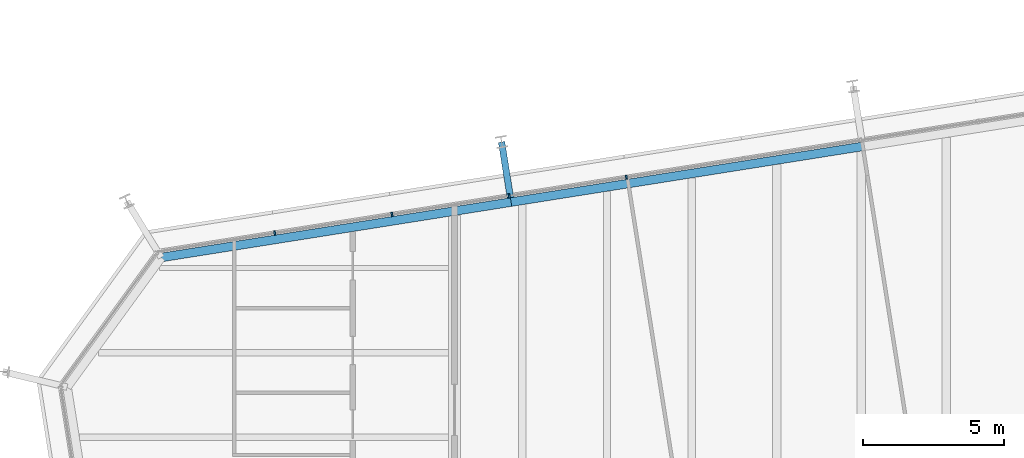
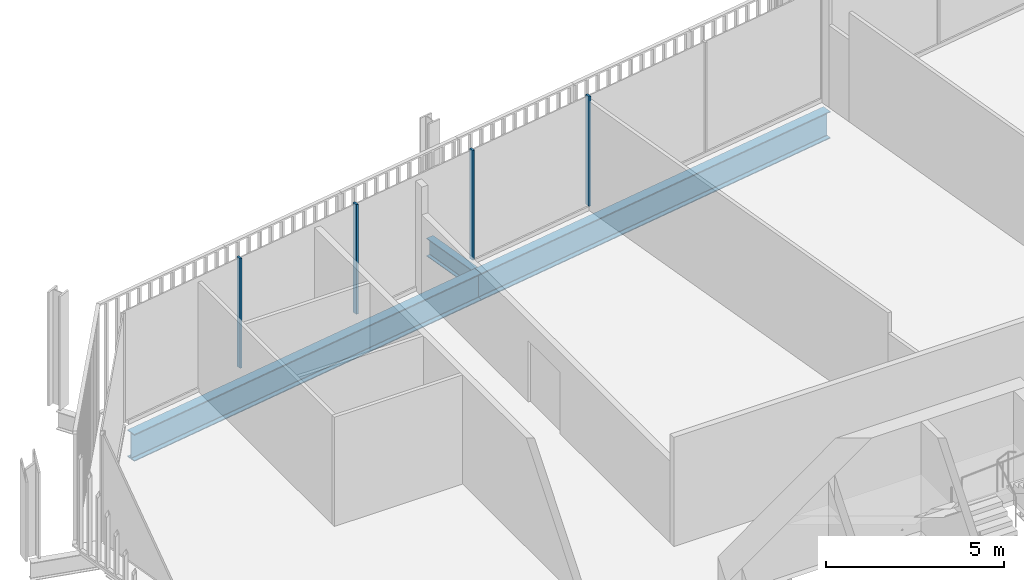
# One storey, part 12 of 20: 4 members, 3 beams, 1 element without a shape of its own.
"""IFC4 building model written with IfcOpenShell, lengths in metres."""

from ifc_helpers import new_model, si_unit, direction, frame, origin, origin_2d, place, context, subcontext, project, spatial, rectangle, i_section, extrude, material, layer, layer_set, material_profile, profile_set, type_object, element, aggregate, save


model = new_model("IFC4")

# Units and contexts
model_context = context("Model", 3, precision=1e-05, world=origin(), true_north=direction((0.0, 1.0)))
body_context = subcontext(model_context, "Body", "Model", "MODEL_VIEW")
ifc_project = project(units=[si_unit("LENGTHUNIT", "METRE"), si_unit("AREAUNIT", "SQUARE_METRE"), si_unit("VOLUMEUNIT", "CUBIC_METRE"), si_unit("PLANEANGLEUNIT", "RADIAN"), si_unit("MASSUNIT", "GRAM", prefix="KILO")], contexts=[model_context])

# Site, building, storey
site_placement = place(None, origin())
site = spatial("IfcSite", under=ifc_project, at=site_placement, CompositionType="ELEMENT")
building_placement = place(site_placement, origin())
building = spatial("IfcBuilding", under=site, at=building_placement, Name="Millrace Tower", CompositionType="ELEMENT")
storey_placement = place(building_placement, frame((0.0, 0.0, 251.300048828125)))
storey = spatial("IfcBuildingStorey", under=building, at=storey_placement, Name="L57", CompositionType="ELEMENT", Elevation=251.300048828125)

# Curtain wall, members
ifc_material_1 = material(Name="Aluminium and glass", Category="aluminium")
ifc_layer = layer(ifc_material_1, 0.14990234375)
ifc_layer_set = layer_set([ifc_layer], Name="Aluminium and glass")
curtain_wall_type = type_object("IfcCurtainWallType", Name="CW-1 office vision curtain wall", PredefinedType="NOTDEFINED", material=ifc_layer_set)
curtain_wall_placement = place(storey_placement, origin())
curtain_wall = element("IfcCurtainWall", 1, at=curtain_wall_placement, inside=storey, type_object=curtain_wall_type, Name="Curtain wall D-F06 L57", PredefinedType="NOTDEFINED")
ifc_material_2 = material(Name="Aluminium", Category="aluminium")
ifc_material_profile_1 = material_profile(ifc_material_2, rectangle(XDim=0.06494140625, YDim=0.14990234375, at=origin_2d()))
ifc_profile_set_1 = profile_set([ifc_material_profile_1], Name="Aluminium")
member_type = type_object("IfcMemberType", Name="CW-1 office vision curtain wall mullion", PredefinedType="MULLION", material=ifc_profile_set_1)
member_1_placement = place(storey_placement, frame((-8.31591796875, 27.207275390625, 0.139892578125), z_axis=(0.0, 0.0, 1.0), x_axis=(-0.987688339511, -0.156434471884, 0.0)))
member_1 = element("IfcMember", 2, at=member_1_placement, type_object=member_type, Name="CW1 mullion D-F06.6", PredefinedType="MULLION", context=body_context, shape_type="SweptSolid", body=[
    extrude(rectangle(XDim=0.06494140625, YDim=0.14990234375, at=origin_2d()), origin(), (0.0, 0.0, 1.0), 3.760009765625),
])
member_2_placement = place(storey_placement, frame((-12.46435546875, 26.55029296875, 0.139892578125), z_axis=(0.0, 0.0, 1.0), x_axis=(-0.987688339511, -0.156434471884, 0.0)))
member_2 = element("IfcMember", 3, at=member_2_placement, type_object=member_type, Name="CW1 mullion D-F06.7", PredefinedType="MULLION", context=body_context, shape_type="SweptSolid", body=[
    extrude(rectangle(XDim=0.06494140625, YDim=0.14990234375, at=origin_2d()), origin(), (0.0, 0.0, 1.0), 3.760009765625),
])
member_3_placement = place(storey_placement, frame((-16.612548828125, 25.893310546875, 0.139892578125), z_axis=(0.0, 0.0, 1.0), x_axis=(-0.987688339511, -0.156434471884, 0.0)))
member_3 = element("IfcMember", 4, at=member_3_placement, type_object=member_type, Name="CW1 mullion D-F06.8", PredefinedType="MULLION", context=body_context, shape_type="SweptSolid", body=[
    extrude(rectangle(XDim=0.06494140625, YDim=0.14990234375, at=origin_2d()), origin(), (0.0, 0.0, 1.0), 3.760009765625),
])
member_4_placement = place(storey_placement, frame((-20.7607421875, 25.236328125, 0.139892578125), z_axis=(0.0, 0.0, 1.0), x_axis=(-0.987688339511, -0.156434471884, 0.0)))
member_4 = element("IfcMember", 5, at=member_4_placement, type_object=member_type, Name="CW1 mullion D-F06.9", PredefinedType="MULLION", context=body_context, shape_type="SweptSolid", body=[
    extrude(rectangle(XDim=0.06494140625, YDim=0.14990234375, at=origin_2d()), origin(), (0.0, 0.0, 1.0), 3.760009765625),
])
aggregate(curtain_wall, [member_1, member_2, member_3, member_4])

# Beams
ifc_material_3 = material(Name="Steel ASTM A992 Grade 50", Category="steel")
ifc_material_profile_2 = material_profile(ifc_material_3, i_section(OverallWidth=0.23046875, OverallDepth=0.6171875, WebThickness=0.01318359375, FlangeThickness=0.022216796875, FilletRadius=0.012939453125, at=origin_2d()))
ifc_profile_set_2 = profile_set([ifc_material_profile_2], Name="Steel ASTM A992 Grade 50")
beam_type_1 = type_object("IfcBeamType", Name="Link beam W24x94", PredefinedType="BEAM", material=ifc_profile_set_2)
beam_1_placement = place(storey_placement, frame((-12.42041015625, 26.481201171875, -0.46875), z_axis=(-0.156476509441, 0.987681680499, 0.0), x_axis=(-0.987681680499, -0.156476509441, 0.0)))
element("IfcBeam", 6, at=beam_1_placement, inside=storey, type_object=beam_type_1, Name="LNK-D-L57-S1-06", PredefinedType="BEAM", context=body_context, shape_type="SweptSolid", body=[
    extrude(i_section(OverallWidth=0.23046875, OverallDepth=0.6171875, WebThickness=0.01318359375, FlangeThickness=0.022216796875, FilletRadius=0.012939453125, at=origin_2d()), origin(), (0.0, 0.0, 1.0), 2.000244140625),
])
ifc_material_4 = material(Name="Steel ASTM A992 Grade 50", Category="steel")
ifc_material_profile_3 = material_profile(ifc_material_4, i_section(OverallWidth=0.307373046875, OverallDepth=0.927001953125, WebThickness=0.01953125, FlangeThickness=0.031982421875, FilletRadius=0.01904296875, at=origin_2d()))
ifc_profile_set_3 = profile_set([ifc_material_profile_3], Name="Steel ASTM A992 Grade 50")
beam_type_2 = type_object("IfcBeamType", Name="Ring beam medium span W36x194", PredefinedType="SPANDREL", material=ifc_profile_set_3)
beam_2_placement = place(storey_placement, frame((-24.7783203125, 24.368408203125, -0.62353515625), z_axis=(0.987687213011, 0.156441584157, 0.0), x_axis=(-0.156441584157, 0.987687213011, 0.0)))
element("IfcBeam", 7, at=beam_2_placement, inside=storey, type_object=beam_type_2, Name="RNG-D-L57-S1-05", PredefinedType="SPANDREL", context=body_context, shape_type="SweptSolid", body=[
    extrude(i_section(OverallWidth=0.307373046875, OverallDepth=0.927001953125, WebThickness=0.01953125, FlangeThickness=0.031982421875, FilletRadius=0.01904296875, at=origin_2d()), origin(), (0.0, 0.0, 1.0), 12.5361328125),
])
beam_3_placement = place(storey_placement, frame((-12.396484375, 26.32958984375, -0.62353515625), z_axis=(0.987690277015, 0.156422238477, 0.0), x_axis=(-0.156422238477, 0.987690277015, 0.0)))
element("IfcBeam", 8, at=beam_3_placement, inside=storey, type_object=beam_type_2, Name="RNG-D-L57-S1-06", PredefinedType="SPANDREL", context=body_context, shape_type="SweptSolid", body=[
    extrude(i_section(OverallWidth=0.307373046875, OverallDepth=0.927001953125, WebThickness=0.01953125, FlangeThickness=0.031982421875, FilletRadius=0.01904296875, at=origin_2d()), origin(), (0.0, 0.0, 1.0), 12.60009765625),
])

save(model, "model.ifc")
